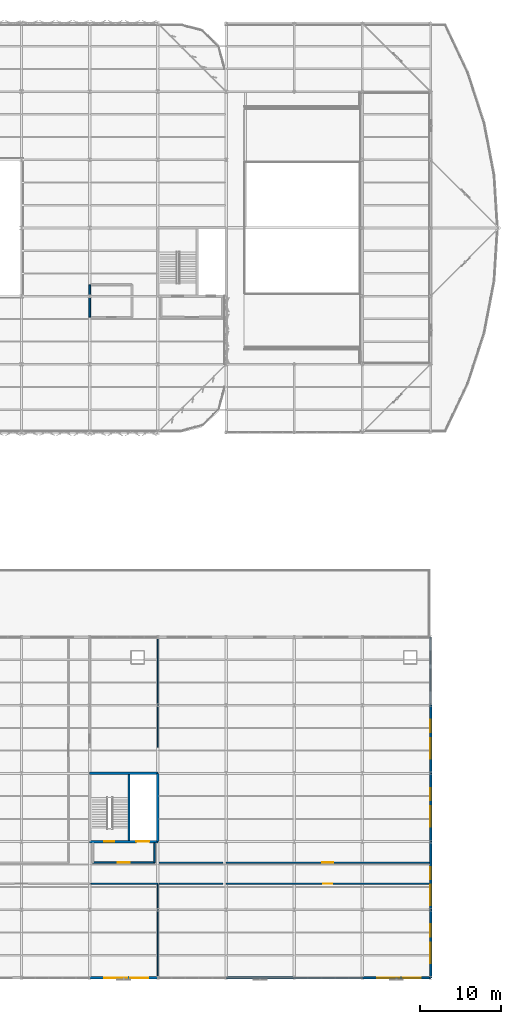
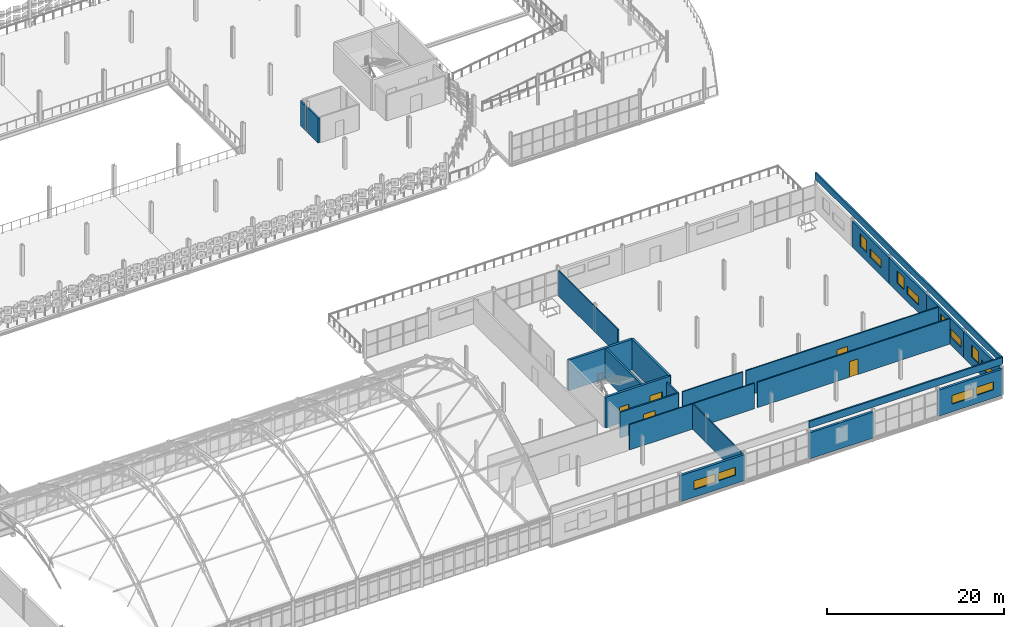
# One storey, part 158 of 184: 24 walls, 12 windows, 5 doors, 17 openings.
"""IFC4 building model written with IfcOpenShell, lengths in metres."""

from ifc_helpers import new_model, si_unit, direction, frame, frame_2d, origin, place, context, subcontext, project, spatial, rectangle, extrude, material, layer, layer_set, type_object, element, fill, save


model = new_model("IFC4")

# Units and contexts
model_context = context("Model", 3, precision=1e-05, world=origin(), true_north=direction((0.0, 1.0)))
body_context = subcontext(model_context, "Body", "Model", "MODEL_VIEW")
ifc_project = project(units=[si_unit("LENGTHUNIT", "METRE"), si_unit("AREAUNIT", "SQUARE_METRE"), si_unit("VOLUMEUNIT", "CUBIC_METRE"), si_unit("PLANEANGLEUNIT", "RADIAN"), si_unit("MASSUNIT", "GRAM", prefix="KILO")], contexts=[model_context])

# Site, building, storey
site_placement = place(None, origin())
site = spatial("IfcSite", under=ifc_project, at=site_placement, CompositionType="ELEMENT")
building_placement = place(site_placement, origin())
building = spatial("IfcBuilding", under=site, at=building_placement, Name="Qalvenar Corner Mobility Hub", CompositionType="ELEMENT")
storey_placement = place(building_placement, frame((0.0, 0.0, 9.0)))
storey = spatial("IfcBuildingStorey", under=building, at=storey_placement, Name="L02", CompositionType="ELEMENT", Elevation=9.0)

# Wall
ifc_material_1 = material(Name="Concrete C40/50", Category="concrete")
ifc_layer_1 = layer(ifc_material_1, 0.25)
ifc_layer_set_1 = layer_set([ifc_layer_1], Name="Concrete C40/50")
wall_type_1 = type_object("IfcWallType", Name="WL-CORE250", PredefinedType="SHEAR", material=ifc_layer_set_1)
wall_1_placement = place(storey_placement, frame((130.85009765625, 16.949951171875, 0.0), z_axis=(0.0, 0.0, 1.0), x_axis=(0.0, 1.0, 0.0)))
element("IfcWall", 1, at=wall_1_placement, inside=storey, type_object=wall_type_1, Name="Core Divider Wall C6-L02", PredefinedType="SHEAR", context=body_context, shape_type="SweptSolid", body=[
    extrude(rectangle(XDim=8.10009765625, YDim=0.25, at=frame_2d((4.050048828125, 0.0))), origin(), (0.0, 0.0, 1.0), 4.199951171875),
])

# Wall, openings, doors
ifc_layer_2 = layer(ifc_material_1, 0.300048828125)
ifc_layer_set_2 = layer_set([ifc_layer_2], Name="Concrete C40/50")
wall_type_2 = type_object("IfcWallType", Name="WL-CORE300", PredefinedType="SHEAR", material=ifc_layer_set_2)
wall_2_placement = place(storey_placement, frame((126.0, 16.800048828125, 0.0), z_axis=(0.0, 0.0, 1.0), x_axis=(1.0, 0.0, 0.0)))
wall_2 = element("IfcWall", 2, at=wall_2_placement, inside=storey, type_object=wall_type_2, Name="Core Shear Wall C6-L02-S", PredefinedType="SHEAR", context=body_context, shape_type="SweptSolid", body=[
    extrude(rectangle(XDim=8.39990234375, YDim=0.300048828125, at=frame_2d((4.199951171875, 0.0))), origin(), (0.0, 0.0, 1.0), 4.199951171875),
])
opening_1_placement = place(wall_2_placement, frame((1.800048828125, 0.0, 0.0)))
opening_1 = element("IfcOpeningElement", 3, at=opening_1_placement, cuts=wall_2, Name="Opening DR-176", PredefinedType="OPENING", context=body_context, shape_type="SweptSolid", body=[
    extrude(rectangle(XDim=1.199951171875, YDim=2.199951171875, at=frame_2d((0.60009765625, 1.10009765625))), frame((0.0, 0.16015625, 0.0), z_axis=(0.0, -1.0, 0.0), x_axis=(1.0, 0.0, 0.0)), (0.0, 0.0, 1.0), 0.320068359375),
])
opening_2_placement = place(wall_2_placement, frame((5.75, 0.0, 0.0)))
opening_2 = element("IfcOpeningElement", 4, at=opening_2_placement, cuts=wall_2, Name="Opening DR-177", PredefinedType="OPENING", context=body_context, shape_type="SweptSolid", body=[
    extrude(rectangle(XDim=1.60009765625, YDim=2.39990234375, at=frame_2d((0.800048828125, 1.199951171875))), frame((0.0, 0.16015625, 0.0), z_axis=(0.0, -1.0, 0.0), x_axis=(1.0, 0.0, 0.0)), (0.0, 0.0, 1.0), 0.320068359375),
])
ifc_material_2 = material(Name="Stainless Steel Goods Lift Landing Door", Category="steel")
door_type_1 = type_object("IfcDoorType", Name="DR-LIFT-160", OperationType="SLIDING_TO_LEFT", PredefinedType="DOOR", material=ifc_material_2)
door_1_placement = place(opening_2_placement, origin())
door_1 = element("IfcDoor", 5, at=door_1_placement, inside=storey, type_object=door_type_1, Name="DR-177 Lift Landing Door LG2-L02", OperationType="SLIDING_TO_LEFT", OverallHeight=2.39990234375, OverallWidth=1.60009765625, PredefinedType="DOOR", context=body_context, shape_type="SweptSolid", body=[
    extrude(rectangle(XDim=1.60009765625, YDim=2.39990234375, at=frame_2d((0.800048828125, 1.199951171875))), frame((0.0, 0.02490234375, 0.0), z_axis=(0.0, -1.0, 0.0), x_axis=(1.0, 0.0, 0.0)), (0.0, 0.0, 1.0), 0.050048828125),
])
fill(opening_2, door_1)
ifc_material_3 = material(Name="Fire-Rated Steel Stair Door FD90", Category="steel")
door_type_2 = type_object("IfcDoorType", Name="DR-STAIR-120", OperationType="NOTDEFINED", PredefinedType="DOOR", material=ifc_material_3)
door_2_placement = place(opening_1_placement, origin())
door_2 = element("IfcDoor", 6, at=door_2_placement, inside=storey, type_object=door_type_2, Name="DR-176 Stair Fire Door ST6-L02", OperationType="SINGLE_SWING_RIGHT", OverallHeight=2.199951171875, OverallWidth=1.199951171875, PredefinedType="DOOR", context=body_context, shape_type="SweptSolid", body=[
    extrude(rectangle(XDim=1.199951171875, YDim=2.199951171875, at=frame_2d((0.60009765625, 1.10009765625))), frame((0.0, 0.02490234375, 0.0), z_axis=(0.0, -1.0, 0.0), x_axis=(1.0, 0.0, 0.0)), (0.0, 0.0, 1.0), 0.050048828125),
])
fill(opening_1, door_2)

# Walls
for number, where, z_axis, x_axis, name in (
    (7, (134.39990234375, 16.800048828125, 0.0), (0.0, 0.0, 1.0), (0.0, 1.0, 0.0), "Core Shear Wall C6-L02-E"),
    (8, (134.39990234375, 25.199951171875, 0.0), (0.0, 0.0, 1.0), (-1.0, 0.0, 0.0), "Core Shear Wall C6-L02-N"),
):
    element("IfcWall", number, at=place(storey_placement, frame(where, z_axis=z_axis, x_axis=x_axis)), inside=storey, type_object=wall_type_2, Name=name, PredefinedType="SHEAR", context=body_context, shape_type="SweptSolid", body=[
        extrude(rectangle(XDim=8.39990234375, YDim=0.300048828125, at=frame_2d((4.199951171875, 0.0))), origin(), (0.0, 0.0, 1.0), 4.199951171875),
    ])

# Wall, openings, windows
ifc_material_4 = material(Name="Lahori Fired Clay Brick Masonry", Category="masonry")
ifc_layer_3 = layer(ifc_material_4, 0.300048828125)
ifc_layer_set_3 = layer_set([ifc_layer_3], Name="Lahori Fired Clay Brick Masonry")
wall_type_3 = type_object("IfcWallType", Name="WL-EXT-BRK300", PredefinedType="STANDARD", material=ifc_layer_set_3)
wall_3_placement = place(storey_placement, frame((126.0, 0.0, 0.0), z_axis=(0.0, 0.0, 1.0), x_axis=(1.0, 0.0, 0.0)))
wall_3 = element("IfcWall", 9, at=wall_3_placement, inside=storey, type_object=wall_type_3, Name="Exterior Facade Wall EW-V6-L02-S2", PredefinedType="STANDARD", context=body_context, shape_type="SweptSolid", body=[
    extrude(rectangle(XDim=8.39990234375, YDim=0.300048828125, at=frame_2d((4.199951171875, 0.0))), origin(), (0.0, 0.0, 1.0), 3.580078125),
])
opening_3_placement = place(wall_3_placement, frame((1.800048828125, 0.0, 1.050048828125)))
opening_3 = element("IfcOpeningElement", 10, at=opening_3_placement, cuts=wall_3, Name="Opening W-20", PredefinedType="OPENING", context=body_context, shape_type="SweptSolid", body=[
    extrude(rectangle(XDim=2.800048828125, YDim=1.199951171875, at=frame_2d((1.39990234375, 0.60009765625))), frame((0.0, 0.16015625, 0.0), z_axis=(0.0, -1.0, 0.0), x_axis=(1.0, 0.0, 0.0)), (0.0, 0.0, 1.0), 0.320068359375),
])
opening_4_placement = place(wall_3_placement, frame((5.0, 0.0, 1.14990234375)))
opening_4 = element("IfcOpeningElement", 11, at=opening_4_placement, cuts=wall_3, Name="Opening W-21", PredefinedType="OPENING", context=body_context, shape_type="SweptSolid", body=[
    extrude(rectangle(XDim=2.199951171875, YDim=1.10009765625, at=frame_2d((1.10009765625, 0.550048828125))), frame((0.0, 0.16015625, 0.0), z_axis=(0.0, -1.0, 0.0), x_axis=(1.0, 0.0, 0.0)), (0.0, 0.0, 1.0), 0.320068359375),
])
ifc_material_5 = material(Name="Solar-Control Double-Glazed Bronze Window", Category="glass")
window_type_1 = type_object("IfcWindowType", Name="WN-CLR-220X110", PartitioningType="DOUBLE_PANEL_HORIZONTAL", PredefinedType="WINDOW", material=ifc_material_5)
window_1_placement = place(opening_4_placement, origin())
window_1 = element("IfcWindow", 12, at=window_1_placement, inside=storey, type_object=window_type_1, Name="Facade Window EW-V6-L02-S2-W2", OverallHeight=1.10009765625, OverallWidth=2.199951171875, PartitioningType="SINGLE_PANEL", PredefinedType="WINDOW", context=body_context, shape_type="SweptSolid", body=[
    extrude(rectangle(XDim=2.199951171875, YDim=1.10009765625, at=frame_2d((1.10009765625, 0.550048828125))), frame((0.0, 0.030029296875, 0.0), z_axis=(0.0, -1.0, 0.0), x_axis=(1.0, 0.0, 0.0)), (0.0, 0.0, 1.0), 0.06005859375),
])
fill(opening_4, window_1)
window_type_2 = type_object("IfcWindowType", Name="WN-CLR-280X120", PartitioningType="TRIPLE_PANEL_VERTICAL", PredefinedType="WINDOW", material=ifc_material_5)
window_2_placement = place(opening_3_placement, origin())
window_2 = element("IfcWindow", 13, at=window_2_placement, inside=storey, type_object=window_type_2, Name="Facade Window EW-V6-L02-S2-W1", OverallHeight=1.199951171875, OverallWidth=2.800048828125, PartitioningType="SINGLE_PANEL", PredefinedType="WINDOW", context=body_context, shape_type="SweptSolid", body=[
    extrude(rectangle(XDim=2.800048828125, YDim=1.199951171875, at=frame_2d((1.39990234375, 0.60009765625))), frame((0.0, 0.030029296875, 0.0), z_axis=(0.0, -1.0, 0.0), x_axis=(1.0, 0.0, 0.0)), (0.0, 0.0, 1.0), 0.06005859375),
])
fill(opening_3, window_2)

# Wall
wall_4_placement = place(storey_placement, frame((142.800048828125, 0.0, 0.0), z_axis=(0.0, 0.0, 1.0), x_axis=(1.0, 0.0, 0.0)))
element("IfcWall", 14, at=wall_4_placement, inside=storey, type_object=wall_type_3, Name="Exterior Facade Wall EW-V6-L02-S4", PredefinedType="STANDARD", context=body_context, shape_type="SweptSolid", body=[
    extrude(rectangle(XDim=8.39990234375, YDim=0.300048828125, at=frame_2d((4.199951171875, 0.0))), origin(), (0.0, 0.0, 1.0), 3.580078125),
])

# Wall, openings, windows
wall_5_placement = place(storey_placement, frame((159.60009765625, 0.0, 0.0), z_axis=(0.0, 0.0, 1.0), x_axis=(1.0, 0.0, 0.0)))
wall_5 = element("IfcWall", 15, at=wall_5_placement, inside=storey, type_object=wall_type_3, Name="Exterior Facade Wall EW-V6-L02-S6", PredefinedType="STANDARD", context=body_context, shape_type="SweptSolid", body=[
    extrude(rectangle(XDim=8.39990234375, YDim=0.300048828125, at=frame_2d((4.199951171875, 0.0))), origin(), (0.0, 0.0, 1.0), 3.580078125),
])
opening_5_placement = place(wall_5_placement, frame((1.800048828125, 0.0, 1.050048828125)))
opening_5 = element("IfcOpeningElement", 16, at=opening_5_placement, cuts=wall_5, Name="Opening W-20", PredefinedType="OPENING", context=body_context, shape_type="SweptSolid", body=[
    extrude(rectangle(XDim=2.800048828125, YDim=1.199951171875, at=frame_2d((1.39990234375, 0.60009765625))), frame((0.0, 0.16015625, 0.0), z_axis=(0.0, -1.0, 0.0), x_axis=(1.0, 0.0, 0.0)), (0.0, 0.0, 1.0), 0.320068359375),
])
opening_6_placement = place(wall_5_placement, frame((5.0, 0.0, 1.14990234375)))
opening_6 = element("IfcOpeningElement", 17, at=opening_6_placement, cuts=wall_5, Name="Opening W-21", PredefinedType="OPENING", context=body_context, shape_type="SweptSolid", body=[
    extrude(rectangle(XDim=2.199951171875, YDim=1.10009765625, at=frame_2d((1.10009765625, 0.550048828125))), frame((0.0, 0.16015625, 0.0), z_axis=(0.0, -1.0, 0.0), x_axis=(1.0, 0.0, 0.0)), (0.0, 0.0, 1.0), 0.320068359375),
])
window_3_placement = place(opening_6_placement, origin())
window_3 = element("IfcWindow", 18, at=window_3_placement, inside=storey, type_object=window_type_1, Name="Facade Window EW-V6-L02-S6-W2", OverallHeight=1.10009765625, OverallWidth=2.199951171875, PartitioningType="SINGLE_PANEL", PredefinedType="WINDOW", context=body_context, shape_type="SweptSolid", body=[
    extrude(rectangle(XDim=2.199951171875, YDim=1.10009765625, at=frame_2d((1.10009765625, 0.550048828125))), frame((0.0, 0.030029296875, 0.0), z_axis=(0.0, -1.0, 0.0), x_axis=(1.0, 0.0, 0.0)), (0.0, 0.0, 1.0), 0.06005859375),
])
fill(opening_6, window_3)
window_4_placement = place(opening_5_placement, origin())
window_4 = element("IfcWindow", 19, at=window_4_placement, inside=storey, type_object=window_type_2, Name="Facade Window EW-V6-L02-S6-W1", OverallHeight=1.199951171875, OverallWidth=2.800048828125, PartitioningType="SINGLE_PANEL", PredefinedType="WINDOW", context=body_context, shape_type="SweptSolid", body=[
    extrude(rectangle(XDim=2.800048828125, YDim=1.199951171875, at=frame_2d((1.39990234375, 0.60009765625))), frame((0.0, 0.030029296875, 0.0), z_axis=(0.0, -1.0, 0.0), x_axis=(1.0, 0.0, 0.0)), (0.0, 0.0, 1.0), 0.06005859375),
])
fill(opening_5, window_4)

wall_6_placement = place(storey_placement, frame((168.0, 0.0, 0.0), z_axis=(0.0, 0.0, 1.0), x_axis=(0.0, 1.0, 0.0)))
wall_6 = element("IfcWall", 20, at=wall_6_placement, inside=storey, type_object=wall_type_3, Name="Exterior Facade Wall EW-V6-L02-E0", PredefinedType="STANDARD", context=body_context, shape_type="SweptSolid", body=[
    extrude(rectangle(XDim=8.39990234375, YDim=0.300048828125, at=frame_2d((4.199951171875, 0.0))), origin(), (0.0, 0.0, 1.0), 3.580078125),
])
opening_7_placement = place(wall_6_placement, frame((1.800048828125, 0.0, 1.050048828125)))
opening_7 = element("IfcOpeningElement", 21, at=opening_7_placement, cuts=wall_6, Name="Opening W-40", PredefinedType="OPENING", context=body_context, shape_type="SweptSolid", body=[
    extrude(rectangle(XDim=2.550048828125, YDim=1.14990234375, at=frame_2d((1.27490234375, 0.574951171875))), frame((0.0, 0.16015625, 0.0), z_axis=(0.0, -1.0, 0.0), x_axis=(1.0, 0.0, 0.0)), (0.0, 0.0, 1.0), 0.320068359375),
])
opening_8_placement = place(wall_6_placement, frame((5.10009765625, 0.0, 1.199951171875)))
opening_8 = element("IfcOpeningElement", 22, at=opening_8_placement, cuts=wall_6, Name="Opening W-18", PredefinedType="OPENING", context=body_context, shape_type="SweptSolid", body=[
    extrude(rectangle(XDim=1.5, YDim=1.699951171875, at=frame_2d((0.75, 0.85009765625))), frame((0.0, 0.16015625, 0.0), z_axis=(0.0, -1.0, 0.0), x_axis=(1.0, 0.0, 0.0)), (0.0, 0.0, 1.0), 0.320068359375),
])
window_type_3 = type_object("IfcWindowType", Name="WN-CLR-255X115", PartitioningType="TRIPLE_PANEL_VERTICAL", PredefinedType="WINDOW", material=ifc_material_5)
window_5_placement = place(opening_7_placement, origin())
window_5 = element("IfcWindow", 23, at=window_5_placement, inside=storey, type_object=window_type_3, Name="Facade Window EW-V6-L02-E0-W1", OverallHeight=1.14990234375, OverallWidth=2.550048828125, PartitioningType="SINGLE_PANEL", PredefinedType="WINDOW", context=body_context, shape_type="SweptSolid", body=[
    extrude(rectangle(XDim=2.550048828125, YDim=1.14990234375, at=frame_2d((1.27490234375, 0.574951171875))), frame((0.0, 0.030029296875, 0.0), z_axis=(0.0, -1.0, 0.0), x_axis=(1.0, 0.0, 0.0)), (0.0, 0.0, 1.0), 0.06005859375),
])
fill(opening_7, window_5)
window_type_4 = type_object("IfcWindowType", Name="WN-WKS-150X170", PartitioningType="DOUBLE_PANEL_VERTICAL", PredefinedType="WINDOW", material=ifc_material_5)
window_6_placement = place(opening_8_placement, origin())
window_6 = element("IfcWindow", 24, at=window_6_placement, inside=storey, type_object=window_type_4, Name="Facade Window EW-V6-L02-E0-W2", OverallHeight=1.699951171875, OverallWidth=1.5, PartitioningType="SINGLE_PANEL", PredefinedType="WINDOW", context=body_context, shape_type="SweptSolid", body=[
    extrude(rectangle(XDim=1.5, YDim=1.699951171875, at=frame_2d((0.75, 0.85009765625))), frame((0.0, 0.030029296875, 0.0), z_axis=(0.0, -1.0, 0.0), x_axis=(1.0, 0.0, 0.0)), (0.0, 0.0, 1.0), 0.06005859375),
])
fill(opening_8, window_6)

wall_7_placement = place(storey_placement, frame((168.0, 8.39990234375, 0.0), z_axis=(0.0, 0.0, 1.0), x_axis=(0.0, 1.0, 0.0)))
wall_7 = element("IfcWall", 25, at=wall_7_placement, inside=storey, type_object=wall_type_3, Name="Exterior Facade Wall EW-V6-L02-E1", PredefinedType="STANDARD", context=body_context, shape_type="SweptSolid", body=[
    extrude(rectangle(XDim=8.400146484375, YDim=0.300048828125, at=frame_2d((4.2001953125, 0.0))), origin(), (0.0, 0.0, 1.0), 3.580078125),
])
opening_9_placement = place(wall_7_placement, frame((0.550048828125, 0.0, 1.050048828125)))
opening_9 = element("IfcOpeningElement", 26, at=opening_9_placement, cuts=wall_7, Name="Opening W-40", PredefinedType="OPENING", context=body_context, shape_type="SweptSolid", body=[
    extrude(rectangle(XDim=2.550048828125, YDim=1.14990234375, at=frame_2d((1.27490234375, 0.574951171875))), frame((0.0, 0.16015625, 0.0), z_axis=(0.0, -1.0, 0.0), x_axis=(1.0, 0.0, 0.0)), (0.0, 0.0, 1.0), 0.320068359375),
])
opening_10_placement = place(wall_7_placement, frame((3.75, 0.0, 1.199951171875)))
opening_10 = element("IfcOpeningElement", 27, at=opening_10_placement, cuts=wall_7, Name="Opening W-18", PredefinedType="OPENING", context=body_context, shape_type="SweptSolid", body=[
    extrude(rectangle(XDim=1.5, YDim=1.699951171875, at=frame_2d((0.75, 0.85009765625))), frame((0.0, 0.16015625, 0.0), z_axis=(0.0, -1.0, 0.0), x_axis=(1.0, 0.0, 0.0)), (0.0, 0.0, 1.0), 0.320068359375),
])
window_7_placement = place(opening_9_placement, origin())
window_7 = element("IfcWindow", 28, at=window_7_placement, inside=storey, type_object=window_type_3, Name="Facade Window EW-V6-L02-E1-W1", OverallHeight=1.14990234375, OverallWidth=2.550048828125, PartitioningType="SINGLE_PANEL", PredefinedType="WINDOW", context=body_context, shape_type="SweptSolid", body=[
    extrude(rectangle(XDim=2.550048828125, YDim=1.14990234375, at=frame_2d((1.27490234375, 0.574951171875))), frame((0.0, 0.030029296875, 0.0), z_axis=(0.0, -1.0, 0.0), x_axis=(1.0, 0.0, 0.0)), (0.0, 0.0, 1.0), 0.06005859375),
])
fill(opening_9, window_7)
window_8_placement = place(opening_10_placement, origin())
window_8 = element("IfcWindow", 29, at=window_8_placement, inside=storey, type_object=window_type_4, Name="Facade Window EW-V6-L02-E1-W2", OverallHeight=1.699951171875, OverallWidth=1.5, PartitioningType="SINGLE_PANEL", PredefinedType="WINDOW", context=body_context, shape_type="SweptSolid", body=[
    extrude(rectangle(XDim=1.5, YDim=1.699951171875, at=frame_2d((0.75, 0.85009765625))), frame((0.0, 0.030029296875, 0.0), z_axis=(0.0, -1.0, 0.0), x_axis=(1.0, 0.0, 0.0)), (0.0, 0.0, 1.0), 0.06005859375),
])
fill(opening_10, window_8)

wall_8_placement = place(storey_placement, frame((168.0, 16.800048828125, 0.0), z_axis=(0.0, 0.0, 1.0), x_axis=(0.0, 1.0, 0.0)))
wall_8 = element("IfcWall", 30, at=wall_8_placement, inside=storey, type_object=wall_type_3, Name="Exterior Facade Wall EW-V6-L02-E2", PredefinedType="STANDARD", context=body_context, shape_type="SweptSolid", body=[
    extrude(rectangle(XDim=8.39990234375, YDim=0.300048828125, at=frame_2d((4.199951171875, 0.0))), origin(), (0.0, 0.0, 1.0), 3.580078125),
])
opening_11_placement = place(wall_8_placement, frame((1.800048828125, 0.0, 1.050048828125)))
opening_11 = element("IfcOpeningElement", 31, at=opening_11_placement, cuts=wall_8, Name="Opening W-40", PredefinedType="OPENING", context=body_context, shape_type="SweptSolid", body=[
    extrude(rectangle(XDim=2.550048828125, YDim=1.14990234375, at=frame_2d((1.27490234375, 0.574951171875))), frame((0.0, 0.16015625, 0.0), z_axis=(0.0, -1.0, 0.0), x_axis=(1.0, 0.0, 0.0)), (0.0, 0.0, 1.0), 0.320068359375),
])
opening_12_placement = place(wall_8_placement, frame((5.10009765625, 0.0, 1.199951171875)))
opening_12 = element("IfcOpeningElement", 32, at=opening_12_placement, cuts=wall_8, Name="Opening W-18", PredefinedType="OPENING", context=body_context, shape_type="SweptSolid", body=[
    extrude(rectangle(XDim=1.5, YDim=1.699951171875, at=frame_2d((0.75, 0.85009765625))), frame((0.0, 0.16015625, 0.0), z_axis=(0.0, -1.0, 0.0), x_axis=(1.0, 0.0, 0.0)), (0.0, 0.0, 1.0), 0.320068359375),
])
window_9_placement = place(opening_11_placement, origin())
window_9 = element("IfcWindow", 33, at=window_9_placement, inside=storey, type_object=window_type_3, Name="Facade Window EW-V6-L02-E2-W1", OverallHeight=1.14990234375, OverallWidth=2.550048828125, PartitioningType="SINGLE_PANEL", PredefinedType="WINDOW", context=body_context, shape_type="SweptSolid", body=[
    extrude(rectangle(XDim=2.550048828125, YDim=1.14990234375, at=frame_2d((1.27490234375, 0.574951171875))), frame((0.0, 0.030029296875, 0.0), z_axis=(0.0, -1.0, 0.0), x_axis=(1.0, 0.0, 0.0)), (0.0, 0.0, 1.0), 0.06005859375),
])
fill(opening_11, window_9)
window_10_placement = place(opening_12_placement, origin())
window_10 = element("IfcWindow", 34, at=window_10_placement, inside=storey, type_object=window_type_4, Name="Facade Window EW-V6-L02-E2-W2", OverallHeight=1.699951171875, OverallWidth=1.5, PartitioningType="SINGLE_PANEL", PredefinedType="WINDOW", context=body_context, shape_type="SweptSolid", body=[
    extrude(rectangle(XDim=1.5, YDim=1.699951171875, at=frame_2d((0.75, 0.85009765625))), frame((0.0, 0.030029296875, 0.0), z_axis=(0.0, -1.0, 0.0), x_axis=(1.0, 0.0, 0.0)), (0.0, 0.0, 1.0), 0.06005859375),
])
fill(opening_12, window_10)

wall_9_placement = place(storey_placement, frame((168.0, 25.199951171875, 0.0), z_axis=(0.0, 0.0, 1.0), x_axis=(0.0, 1.0, 0.0)))
wall_9 = element("IfcWall", 35, at=wall_9_placement, inside=storey, type_object=wall_type_3, Name="Exterior Facade Wall EW-V6-L02-E3", PredefinedType="STANDARD", context=body_context, shape_type="SweptSolid", body=[
    extrude(rectangle(XDim=8.400146484375, YDim=0.300048828125, at=frame_2d((4.2001953125, 0.0))), origin(), (0.0, 0.0, 1.0), 3.580078125),
])
opening_13_placement = place(wall_9_placement, frame((1.800048828125, 0.0, 1.050048828125)))
opening_13 = element("IfcOpeningElement", 36, at=opening_13_placement, cuts=wall_9, Name="Opening W-40", PredefinedType="OPENING", context=body_context, shape_type="SweptSolid", body=[
    extrude(rectangle(XDim=2.550048828125, YDim=1.14990234375, at=frame_2d((1.27490234375, 0.574951171875))), frame((0.0, 0.16015625, 0.0), z_axis=(0.0, -1.0, 0.0), x_axis=(1.0, 0.0, 0.0)), (0.0, 0.0, 1.0), 0.320068359375),
])
opening_14_placement = place(wall_9_placement, frame((5.10009765625, 0.0, 1.199951171875)))
opening_14 = element("IfcOpeningElement", 37, at=opening_14_placement, cuts=wall_9, Name="Opening W-18", PredefinedType="OPENING", context=body_context, shape_type="SweptSolid", body=[
    extrude(rectangle(XDim=1.5, YDim=1.699951171875, at=frame_2d((0.75, 0.85009765625))), frame((0.0, 0.16015625, 0.0), z_axis=(0.0, -1.0, 0.0), x_axis=(1.0, 0.0, 0.0)), (0.0, 0.0, 1.0), 0.320068359375),
])
window_11_placement = place(opening_13_placement, origin())
window_11 = element("IfcWindow", 38, at=window_11_placement, inside=storey, type_object=window_type_3, Name="Facade Window EW-V6-L02-E3-W1", OverallHeight=1.14990234375, OverallWidth=2.550048828125, PartitioningType="SINGLE_PANEL", PredefinedType="WINDOW", context=body_context, shape_type="SweptSolid", body=[
    extrude(rectangle(XDim=2.550048828125, YDim=1.14990234375, at=frame_2d((1.27490234375, 0.574951171875))), frame((0.0, 0.030029296875, 0.0), z_axis=(0.0, -1.0, 0.0), x_axis=(1.0, 0.0, 0.0)), (0.0, 0.0, 1.0), 0.06005859375),
])
fill(opening_13, window_11)
window_12_placement = place(opening_14_placement, origin())
window_12 = element("IfcWindow", 39, at=window_12_placement, inside=storey, type_object=window_type_4, Name="Facade Window EW-V6-L02-E3-W2", OverallHeight=1.699951171875, OverallWidth=1.5, PartitioningType="SINGLE_PANEL", PredefinedType="WINDOW", context=body_context, shape_type="SweptSolid", body=[
    extrude(rectangle(XDim=1.5, YDim=1.699951171875, at=frame_2d((0.75, 0.85009765625))), frame((0.0, 0.030029296875, 0.0), z_axis=(0.0, -1.0, 0.0), x_axis=(1.0, 0.0, 0.0)), (0.0, 0.0, 1.0), 0.06005859375),
])
fill(opening_14, window_12)

# Walls
ifc_material_6 = material(Name="Concrete Blockwork Masonry", Category="masonry")
ifc_layer_4 = layer(ifc_material_6, 0.219970703125)
ifc_layer_set_4 = layer_set([ifc_layer_4], Name="Concrete Blockwork Masonry")
wall_type_4 = type_object("IfcWallType", Name="WL-FIRE220", PredefinedType="PARTITIONING", material=ifc_layer_set_4)
wall_10_placement = place(storey_placement, frame((126.0, 81.39990234375, 0.0), z_axis=(0.0, 0.0, 1.0), x_axis=(0.0, 1.0, 0.0)))
element("IfcWall", 40, at=wall_10_placement, inside=storey, type_object=wall_type_4, Name="Interior Partition PRT-L02-043", PredefinedType="PARTITIONING", context=body_context, shape_type="SweptSolid", body=[
    extrude(rectangle(XDim=2.4501953125, YDim=0.219970703125, at=frame_2d((1.22509765625, 0.0))), origin(), (0.0, 0.0, 1.0), 3.389892578125),
])
wall_11_placement = place(storey_placement, frame((126.0, 84.14990234375, 0.0), z_axis=(0.0, 0.0, 1.0), x_axis=(0.0, 1.0, 0.0)))
element("IfcWall", 41, at=wall_11_placement, inside=storey, type_object=wall_type_4, Name="Interior Partition PRT-L02-044", PredefinedType="PARTITIONING", context=body_context, shape_type="SweptSolid", body=[
    extrude(rectangle(XDim=1.25, YDim=0.219970703125, at=frame_2d((0.625, 0.0))), origin(), (0.0, 0.0, 1.0), 3.389892578125),
])
ifc_material_7 = material(Name="Acoustic Gypsum Stud Partition", Category="masonry")
ifc_layer_5 = layer(ifc_material_7, 0.139892578125)
ifc_layer_set_5 = layer_set([ifc_layer_5], Name="Acoustic Gypsum Stud Partition")
wall_type_5 = type_object("IfcWallType", Name="WL-INT140", PredefinedType="PARTITIONING", material=ifc_layer_set_5)
wall_12_placement = place(storey_placement, frame((126.14990234375, 11.60009765625, 0.0), z_axis=(0.0, 0.0, 1.0), x_axis=(1.0, 0.0, 0.0)))
element("IfcWall", 42, at=wall_12_placement, inside=storey, type_object=wall_type_5, Name="Interior Partition PRT-L02-010", PredefinedType="PARTITIONING", context=body_context, shape_type="SweptSolid", body=[
    extrude(rectangle(XDim=8.25, YDim=0.139892578125, at=frame_2d((4.125, 0.0))), origin(), (0.0, 0.0, 1.0), 3.5),
])
for number, where, z_axis, x_axis, name in (
    (43, (134.550048828125, 11.60009765625, 0.0), (0.0, 0.0, 1.0), (1.0, 0.0, 0.0), "Interior Partition PRT-L02-011"),
    (44, (134.550048828125, 14.199951171875, 0.0), (0.0, 0.0, 1.0), (1.0, 0.0, 0.0), "Interior Partition PRT-L02-014"),
):
    element("IfcWall", number, at=place(storey_placement, frame(where, z_axis=z_axis, x_axis=x_axis)), inside=storey, type_object=wall_type_5, Name=name, PredefinedType="PARTITIONING", context=body_context, shape_type="SweptSolid", body=[
        extrude(rectangle(XDim=7.849853515625, YDim=0.139892578125, at=frame_2d((3.9248046875, 0.0))), origin(), (0.0, 0.0, 1.0), 3.5),
    ])
wall_13_placement = place(storey_placement, frame((134.39990234375, 0.155029296875, 0.0), z_axis=(0.0, 0.0, 1.0), x_axis=(0.0, 1.0, 0.0)))
element("IfcWall", 45, at=wall_13_placement, inside=storey, type_object=wall_type_5, Name="Interior Partition PRT-L02-047", PredefinedType="PARTITIONING", context=body_context, shape_type="SweptSolid", body=[
    extrude(rectangle(XDim=11.445068359375, YDim=0.139892578125, at=frame_2d((5.72265625, 0.0))), origin(), (0.0, 0.0, 1.0), 3.5),
])
wall_14_placement = place(storey_placement, frame((134.39990234375, 28.39990234375, 0.0), z_axis=(0.0, 0.0, 1.0), x_axis=(0.0, 1.0, 0.0)))
element("IfcWall", 46, at=wall_14_placement, inside=storey, type_object=wall_type_5, Name="Interior Partition PRT-L02-048", PredefinedType="PARTITIONING", context=body_context, shape_type="SweptSolid", body=[
    extrude(rectangle(XDim=13.445068359375, YDim=0.139892578125, at=frame_2d((6.72265625, 0.0))), origin(), (0.0, 0.0, 1.0), 3.5),
])

# Wall, opening, door
ifc_material_8 = material(Name="Plastered Clay Brick Partition", Category="masonry")
ifc_layer_6 = layer(ifc_material_8, 0.159912109375)
ifc_layer_set_6 = layer_set([ifc_layer_6], Name="Plastered Clay Brick Partition")
wall_type_6 = type_object("IfcWallType", Name="WL-INT160", PredefinedType="PARTITIONING", material=ifc_layer_set_6)
wall_15_placement = place(storey_placement, frame((142.800048828125, 11.60009765625, 0.0), z_axis=(0.0, 0.0, 1.0), x_axis=(1.0, 0.0, 0.0)))
wall_15 = element("IfcWall", 47, at=wall_15_placement, inside=storey, type_object=wall_type_6, Name="Interior Partition PRT-L02-012", PredefinedType="PARTITIONING", context=body_context, shape_type="SweptSolid", body=[
    extrude(rectangle(XDim=25.044921875, YDim=0.159912109375, at=frame_2d((12.5224609375, 0.0))), origin(), (0.0, 0.0, 1.0), 3.5),
])
opening_15_placement = place(wall_15_placement, frame((11.947021484375, 0.0, 0.0)))
opening_15 = element("IfcOpeningElement", 48, at=opening_15_placement, cuts=wall_15, Name="Opening DR-186", PredefinedType="OPENING", context=body_context, shape_type="SweptSolid", body=[
    extrude(rectangle(XDim=1.14990234375, YDim=2.14990234375, at=frame_2d((0.574951171875, 1.074951171875))), frame((0.0, 0.08984375, 0.0), z_axis=(0.0, -1.0, 0.0), x_axis=(1.0, 0.0, 0.0)), (0.0, 0.0, 1.0), 0.179931640625),
])
ifc_material_9 = material(Name="Steel Parts Store Door FD60", Category="steel")
door_type_3 = type_object("IfcDoorType", Name="DR-INT-STR115", OperationType="NOTDEFINED", PredefinedType="DOOR", material=ifc_material_9)
door_3_placement = place(opening_15_placement, origin())
door_3 = element("IfcDoor", 49, at=door_3_placement, inside=storey, type_object=door_type_3, Name="DR-186 Fleet Equipment and Tire Store Door", OperationType="SINGLE_SWING_RIGHT", OverallHeight=2.14990234375, OverallWidth=1.14990234375, PredefinedType="DOOR", context=body_context, shape_type="SweptSolid", body=[
    extrude(rectangle(XDim=1.14990234375, YDim=2.14990234375, at=frame_2d((0.574951171875, 1.074951171875))), frame((0.0, 0.02490234375, 0.0), z_axis=(0.0, -1.0, 0.0), x_axis=(1.0, 0.0, 0.0)), (0.0, 0.0, 1.0), 0.050048828125),
])
fill(opening_15, door_3)

wall_16_placement = place(storey_placement, frame((142.800048828125, 14.199951171875, 0.0), z_axis=(0.0, 0.0, 1.0), x_axis=(1.0, 0.0, 0.0)))
wall_16 = element("IfcWall", 50, at=wall_16_placement, inside=storey, type_object=wall_type_6, Name="Interior Partition PRT-L02-015", PredefinedType="PARTITIONING", context=body_context, shape_type="SweptSolid", body=[
    extrude(rectangle(XDim=25.044921875, YDim=0.159912109375, at=frame_2d((12.5224609375, 0.0))), origin(), (0.0, 0.0, 1.0), 3.5),
])
opening_16_placement = place(wall_16_placement, frame((11.822021484375, 0.0, 0.0)))
opening_16 = element("IfcOpeningElement", 51, at=opening_16_placement, cuts=wall_16, Name="Opening DR-187", PredefinedType="OPENING", context=body_context, shape_type="SweptSolid", body=[
    extrude(rectangle(XDim=1.39990234375, YDim=2.25, at=frame_2d((0.699951171875, 1.125))), frame((0.0, 0.08984375, 0.0), z_axis=(0.0, -1.0, 0.0), x_axis=(1.0, 0.0, 0.0)), (0.0, 0.0, 1.0), 0.179931640625),
])
ifc_material_10 = material(Name="Hardwood Teak Acoustic Double Door", Category="wood")
door_type_4 = type_object("IfcDoorType", Name="DR-INT-PUB140", OperationType="DOUBLE_DOOR_SINGLE_SWING", PredefinedType="DOOR", material=ifc_material_10)
door_4_placement = place(opening_16_placement, origin())
door_4 = element("IfcDoor", 52, at=door_4_placement, inside=storey, type_object=door_type_4, Name="DR-187 Staff Canteen and Terrace Dining Hall Door", OperationType="DOUBLE_DOOR_SINGLE_SWING", OverallHeight=2.25, OverallWidth=1.39990234375, PredefinedType="DOOR", context=body_context, shape_type="SweptSolid", body=[
    extrude(rectangle(XDim=1.39990234375, YDim=2.25, at=frame_2d((0.699951171875, 1.125))), frame((0.0, 0.02490234375, 0.0), z_axis=(0.0, -1.0, 0.0), x_axis=(1.0, 0.0, 0.0)), (0.0, 0.0, 1.0), 0.050048828125),
])
fill(opening_16, door_4)

# Wall
ifc_material_11 = material(Name="Concrete Blockwork Masonry", Category="masonry")
ifc_layer_7 = layer(ifc_material_11, 0.199951171875)
ifc_layer_set_7 = layer_set([ifc_layer_7], Name="Concrete Blockwork Masonry")
wall_type_7 = type_object("IfcWallType", Name="WL-LOBBY200", PredefinedType="PARTITIONING", material=ifc_layer_set_7)
wall_17_placement = place(storey_placement, frame((134.0, 14.199951171875, 0.0), z_axis=(0.0, 0.0, 1.0), x_axis=(0.0, 1.0, 0.0)))
element("IfcWall", 53, at=wall_17_placement, inside=storey, type_object=wall_type_7, Name="Interior Partition WL-LOB-C6-L02-E", PredefinedType="PARTITIONING", context=body_context, shape_type="SweptSolid", body=[
    extrude(rectangle(XDim=2.449951171875, YDim=0.199951171875, at=frame_2d((1.22509765625, 0.0))), origin(), (0.0, 0.0, 1.0), 3.52001953125),
])

# Wall, opening, door
wall_18_placement = place(storey_placement, frame((126.39990234375, 14.199951171875, 0.0), z_axis=(0.0, 0.0, 1.0), x_axis=(1.0, 0.0, 0.0)))
wall_18 = element("IfcWall", 54, at=wall_18_placement, inside=storey, type_object=wall_type_7, Name="Interior Partition WL-LOB-C6-L02-S", PredefinedType="PARTITIONING", context=body_context, shape_type="SweptSolid", body=[
    extrude(rectangle(XDim=7.60009765625, YDim=0.199951171875, at=frame_2d((3.800048828125, 0.0))), origin(), (0.0, 0.0, 1.0), 3.52001953125),
])
opening_17_placement = place(wall_18_placement, frame((3.050048828125, 0.0, 0.0)))
opening_17 = element("IfcOpeningElement", 55, at=opening_17_placement, cuts=wall_18, Name="Opening DR-178", PredefinedType="OPENING", context=body_context, shape_type="SweptSolid", body=[
    extrude(rectangle(XDim=1.5, YDim=2.199951171875, at=frame_2d((0.75, 1.10009765625))), frame((0.0, 0.10986328125, 0.0), z_axis=(0.0, -1.0, 0.0), x_axis=(1.0, 0.0, 0.0)), (0.0, 0.0, 1.0), 0.219970703125),
])
ifc_material_12 = material(Name="Firefighting Lobby Smoke-Control Door FD60", Category="steel")
door_type_5 = type_object("IfcDoorType", Name="DR-FFLOB-150", OperationType="DOUBLE_DOOR_SINGLE_SWING", PredefinedType="DOOR", material=ifc_material_12)
door_5_placement = place(opening_17_placement, origin())
door_5 = element("IfcDoor", 56, at=door_5_placement, inside=storey, type_object=door_type_5, Name="DR-178 Lift Lobby Smoke Door C6-L02", OperationType="DOUBLE_DOOR_SINGLE_SWING", OverallHeight=2.199951171875, OverallWidth=1.5, PredefinedType="DOOR", context=body_context, shape_type="SweptSolid", body=[
    extrude(rectangle(XDim=1.5, YDim=2.199951171875, at=frame_2d((0.75, 1.10009765625))), frame((0.0, 0.02490234375, 0.0), z_axis=(0.0, -1.0, 0.0), x_axis=(1.0, 0.0, 0.0)), (0.0, 0.0, 1.0), 0.050048828125),
])
fill(opening_17, door_5)

# Walls
ifc_material_13 = material(Name="Coping Brick Parapet Masonry", Category="masonry")
ifc_layer_8 = layer(ifc_material_13, 0.199951171875)
ifc_layer_set_8 = layer_set([ifc_layer_8], Name="Coping Brick Parapet Masonry")
wall_type_8 = type_object("IfcWallType", Name="WL-PAR200", PredefinedType="PARAPET", material=ifc_layer_set_8)
wall_19_placement = place(storey_placement, frame((142.800048828125, 0.0, 4.199951171875), z_axis=(0.0, 0.0, 1.0), x_axis=(1.0, 0.0, 0.0)))
element("IfcWall", 57, at=wall_19_placement, inside=storey, type_object=wall_type_8, Name="Roof Parapet Wall PW-05", PredefinedType="PARAPET", context=body_context, shape_type="SweptSolid", body=[
    extrude(rectangle(XDim=25.199951171875, YDim=0.199951171875, at=frame_2d((12.60009765625, 0.0))), origin(), (0.0, 0.0, 1.0), 0.949951171875),
])
wall_20_placement = place(storey_placement, frame((168.0, 0.0, 4.199951171875), z_axis=(0.0, 0.0, 1.0), x_axis=(0.0, 1.0, 0.0)))
element("IfcWall", 58, at=wall_20_placement, inside=storey, type_object=wall_type_8, Name="Roof Parapet Wall PW-06", PredefinedType="PARAPET", context=body_context, shape_type="SweptSolid", body=[
    extrude(rectangle(XDim=42.0, YDim=0.199951171875, at=frame_2d((21.0, 0.0))), origin(), (0.0, 0.0, 1.0), 0.949951171875),
])

save(model, "model.ifc")
